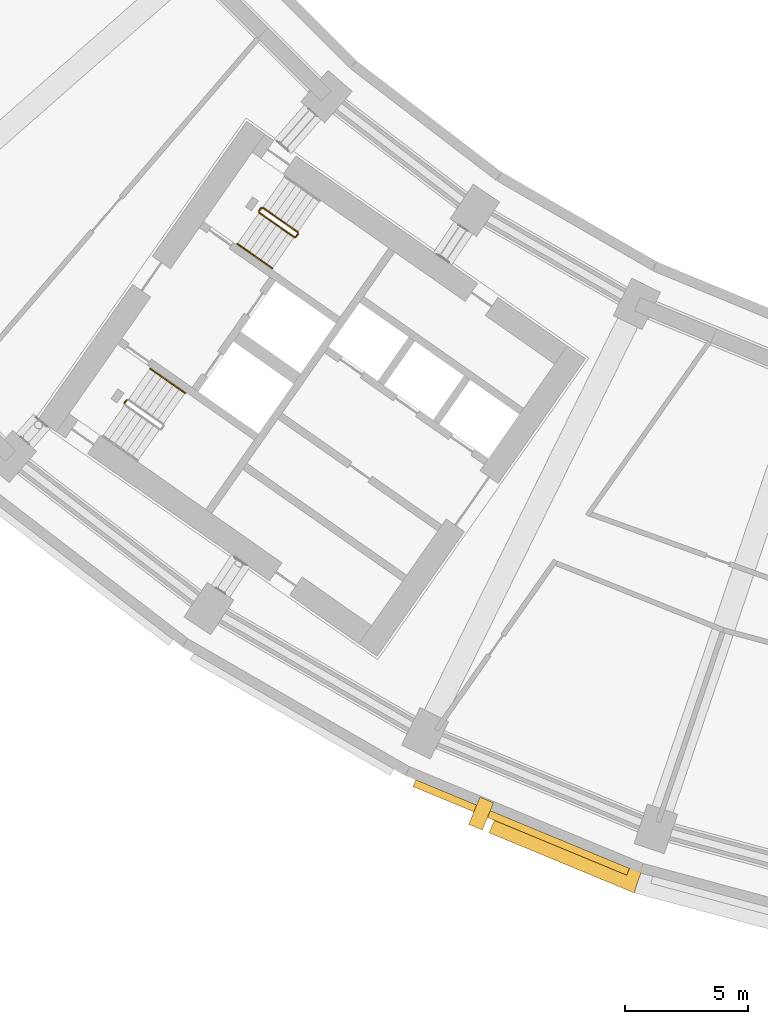
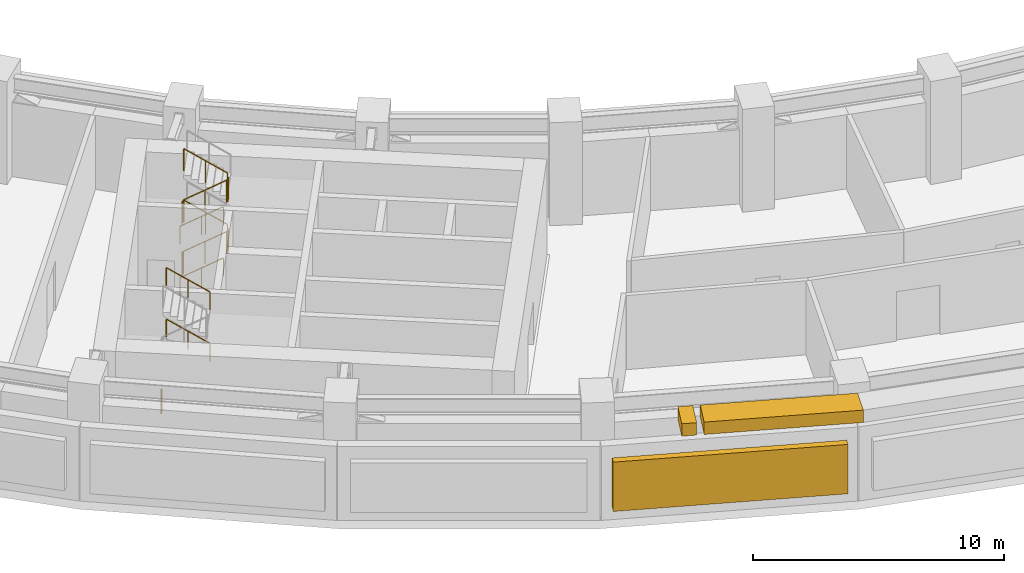
# One storey, part 22 of 25: 10 railings, 3 shading devices.
"""IFC4 building model written with IfcOpenShell, lengths in metres."""

from ifc_helpers import new_model, si_unit, direction, frame, origin, origin_2d, place, context, subcontext, project, spatial, polyline, rectangle, circle, outline, extrude, material, type_object, element, save


model = new_model("IFC4")

# Units and contexts
model_context = context("Model", 3, precision=1e-05, world=origin(), true_north=direction((0.0, 1.0)))
body_context = subcontext(model_context, "Body", "Model", "MODEL_VIEW")
ifc_project = project(units=[si_unit("LENGTHUNIT", "METRE"), si_unit("AREAUNIT", "SQUARE_METRE"), si_unit("VOLUMEUNIT", "CUBIC_METRE"), si_unit("PLANEANGLEUNIT", "RADIAN"), si_unit("MASSUNIT", "GRAM", prefix="KILO")], contexts=[model_context])

# Site, building, storey
site_placement = place(None, origin())
site = spatial("IfcSite", under=ifc_project, at=site_placement, CompositionType="ELEMENT")
building_placement = place(site_placement, origin())
building = spatial("IfcBuilding", under=site, at=building_placement, Name="Qamariyya Broadcast Tower", CompositionType="ELEMENT")
storey_placement = place(building_placement, frame((0.0, 0.0, 89.89990234375)))
storey = spatial("IfcBuildingStorey", under=building, at=storey_placement, Name="L19", CompositionType="ELEMENT", Elevation=89.89990234375)

# Shading devices
ifc_material_1 = material(Name="Steel S355 powder coated deep red", Category="steel")
shading_device_type_1 = type_object("IfcShadingDeviceType", Name="Deep red frame, powder coated steel box section", PredefinedType="USERDEFINED", material=ifc_material_1)
shading_device_1_placement = place(storey_placement, frame((0.0, 0.0, 4.400146484375)))
element("IfcShadingDevice", 1, at=shading_device_1_placement, inside=storey, type_object=shading_device_type_1, Name="e-frm-B2-F1-posta-L19", ObjectType="FRAME", PredefinedType="USERDEFINED", context=body_context, shape_type="SweptSolid", body=[
    extrude(outline(polyline([(-32.15625, -72.330322265625), (-32.615478515625, -73.43896484375), (-32.06103515625, -73.668701171875), (-31.601806640625, -72.56005859375), (-32.15625, -72.330322265625)])), origin(), (0.0, 0.0, 1.0), 0.599853515625),
])
shading_device_2_placement = place(storey_placement, frame((0.0, 0.0, 4.400146484375)))
element("IfcShadingDevice", 2, at=shading_device_2_placement, inside=storey, type_object=shading_device_type_1, Name="e-frm-B2-F1-bot0", ObjectType="FRAME", PredefinedType="USERDEFINED", context=body_context, shape_type="SweptSolid", body=[
    extrude(outline(polyline([(-31.32470703125, -72.6748046875), (-31.783935546875, -73.783447265625), (-25.876708984375, -76.230224609375), (-25.490234375, -75.091552734375), (-31.32470703125, -72.6748046875)])), origin(), (0.0, 0.0, 1.0), 0.599853515625),
])

# Railings
ifc_material_2 = material(Name="Painted steel", Category="steel")
railing_type_1 = type_object("IfcRailingType", Name="Stair guard", PredefinedType="GUARDRAIL", material=ifc_material_2)
railing_1_placement = place(storey_placement, frame((-41.146728515625, -48.52490234375, 0.1787109375)))
element("IfcRailing", 3, at=railing_1_placement, inside=storey, type_object=railing_type_1, Name="L19 ST-W2 stair guard 1", PredefinedType="GUARDRAIL", context=body_context, shape_type="SweptSolid", body=[
    extrude(circle(Radius=0.02392578125, at=origin_2d()), frame((0.0, 0.0, 1.076171875), z_axis=(0.697532699334, -0.488440163562, 0.524284598266), x_axis=(0.573594173421, 0.819139624372, 0.0)), (0.0, 0.0, 1.0), 2.04345703125),
    extrude(circle(Radius=0.02392578125, at=origin_2d()), frame((1.42529296875, -0.998046875, 2.1474609375), z_axis=(0.984470095537, 0.175552359694, 0.0), x_axis=(-0.175552359694, 0.984470095537, 0.0)), (0.0, 0.0, 1.0), 0.071044921875),
    extrude(circle(Radius=0.02392578125, at=origin_2d()), frame((1.4951171875, -0.985595703125, 2.1474609375), z_axis=(0.573353020881, 0.819308436089, 0.0), x_axis=(-0.819308436089, 0.573353020881, 0.0)), (0.0, 0.0, 1.0), 0.14990234375),
    extrude(circle(Radius=0.02099609375, at=origin_2d()), origin(), (0.0, 0.0, 1.0), 1.052001953125),
    extrude(circle(Radius=0.02099609375, at=origin_2d()), frame((0.712646484375, -0.4990234375, 0.53564453125)), (0.0, 0.0, 1.0), 1.052001953125),
    extrude(circle(Radius=0.02099609375, at=origin_2d()), frame((1.42529296875, -0.998046875, 1.0712890625)), (0.0, 0.0, 1.0), 1.052001953125),
    extrude(circle(Radius=0.02099609375, at=origin_2d()), frame((1.4951171875, -0.985595703125, 1.0712890625)), (0.0, 0.0, 1.0), 1.052001953125),
    extrude(circle(Radius=0.02099609375, at=origin_2d()), frame((1.5810546875, -0.86279296875, 1.0712890625)), (0.0, 0.0, 1.0), 1.052001953125),
])
railing_2_placement = place(storey_placement, frame((-39.577880859375, -49.318115234375, 1.4287109375)))
element("IfcRailing", 4, at=railing_2_placement, inside=storey, type_object=railing_type_1, Name="L19 ST-W2 stair guard 2", PredefinedType="GUARDRAIL", context=body_context, shape_type="SweptSolid", body=[
    extrude(circle(Radius=0.02392578125, at=origin_2d()), frame((0.0, 0.0, 1.076171875), z_axis=(-0.697532699334, 0.488440163562, 0.524284598266), x_axis=(-0.573594173421, -0.819139624372, 0.0)), (0.0, 0.0, 1.0), 2.04345703125),
    extrude(circle(Radius=0.02392578125, at=origin_2d()), frame((-1.42529296875, 0.998046875, 2.1474609375), z_axis=(-0.755063954535, -0.655651145474, 0.0), x_axis=(0.655651145474, -0.755063954535, 0.0)), (0.0, 0.0, 1.0), 0.206298828125),
    extrude(circle(Radius=0.02392578125, at=origin_2d()), frame((-1.5810546875, 0.86279296875, 2.1474609375), z_axis=(0.572588637393, 0.819842821722, 0.0), x_axis=(-0.819842821722, 0.572588637393, 0.0)), (0.0, 0.0, 1.0), 0.150146484375),
    extrude(circle(Radius=0.02099609375, at=origin_2d()), origin(), (0.0, 0.0, 1.0), 1.052001953125),
    extrude(circle(Radius=0.02099609375, at=origin_2d()), frame((-0.712646484375, 0.4990234375, 0.53564453125)), (0.0, 0.0, 1.0), 1.052001953125),
    extrude(circle(Radius=0.02099609375, at=origin_2d()), frame((-1.42529296875, 0.998046875, 1.0712890625)), (0.0, 0.0, 1.0), 1.052001953125),
    extrude(circle(Radius=0.02099609375, at=origin_2d()), frame((-1.5810546875, 0.86279296875, 1.0712890625)), (0.0, 0.0, 1.0), 1.052001953125),
    extrude(circle(Radius=0.02099609375, at=origin_2d()), frame((-1.4951171875, 0.98583984375, 1.0712890625)), (0.0, 0.0, 1.0), 1.052001953125),
])
railing_3_placement = place(storey_placement, frame((-41.146728515625, -48.52490234375, 2.6787109375)))
element("IfcRailing", 5, at=railing_3_placement, inside=storey, type_object=railing_type_1, Name="L19 ST-W2 stair guard 3", PredefinedType="GUARDRAIL", context=body_context, shape_type="SweptSolid", body=[
    extrude(circle(Radius=0.02392578125, at=origin_2d()), frame((0.0, 0.0, 1.076171875), z_axis=(0.697532699334, -0.488440163562, 0.524284598266), x_axis=(0.573594173421, 0.819139624372, 0.0)), (0.0, 0.0, 1.0), 2.04345703125),
    extrude(circle(Radius=0.02392578125, at=origin_2d()), frame((1.42529296875, -0.998046875, 2.1474609375), z_axis=(0.984470095537, 0.175552359694, 0.0), x_axis=(-0.175552359694, 0.984470095537, 0.0)), (0.0, 0.0, 1.0), 0.071044921875),
    extrude(circle(Radius=0.02392578125, at=origin_2d()), frame((1.4951171875, -0.985595703125, 2.1474609375), z_axis=(0.573353020881, 0.819308436089, 0.0), x_axis=(-0.819308436089, 0.573353020881, 0.0)), (0.0, 0.0, 1.0), 0.14990234375),
    extrude(circle(Radius=0.02099609375, at=origin_2d()), origin(), (0.0, 0.0, 1.0), 1.052001953125),
    extrude(circle(Radius=0.02099609375, at=origin_2d()), frame((0.712646484375, -0.4990234375, 0.53564453125)), (0.0, 0.0, 1.0), 1.052001953125),
    extrude(circle(Radius=0.02099609375, at=origin_2d()), frame((1.42529296875, -0.998046875, 1.0712890625)), (0.0, 0.0, 1.0), 1.052001953125),
    extrude(circle(Radius=0.02099609375, at=origin_2d()), frame((1.4951171875, -0.985595703125, 1.0712890625)), (0.0, 0.0, 1.0), 1.052001953125),
    extrude(circle(Radius=0.02099609375, at=origin_2d()), frame((1.5810546875, -0.86279296875, 1.0712890625)), (0.0, 0.0, 1.0), 1.052001953125),
])
railing_4_placement = place(storey_placement, frame((-39.577880859375, -49.318115234375, 3.9287109375)))
element("IfcRailing", 6, at=railing_4_placement, inside=storey, type_object=railing_type_1, Name="L19 ST-W2 stair guard 4", PredefinedType="GUARDRAIL", context=body_context, shape_type="SweptSolid", body=[
    extrude(circle(Radius=0.02392578125, at=origin_2d()), frame((0.0, 0.0, 1.076171875), z_axis=(-0.697532699334, 0.488440163562, 0.524284598266), x_axis=(-0.573594173421, -0.819139624372, 0.0)), (0.0, 0.0, 1.0), 2.04345703125),
    extrude(circle(Radius=0.02099609375, at=origin_2d()), origin(), (0.0, 0.0, 1.0), 1.052001953125),
    extrude(circle(Radius=0.02099609375, at=origin_2d()), frame((-0.712646484375, 0.4990234375, 0.53564453125)), (0.0, 0.0, 1.0), 1.052001953125),
    extrude(circle(Radius=0.02099609375, at=origin_2d()), frame((-1.42529296875, 0.998046875, 1.0712890625)), (0.0, 0.0, 1.0), 1.052001953125),
])
railing_5_placement = place(storey_placement, frame((-41.158935546875, -48.455322265625, 0.0)))
element("IfcRailing", 7, at=railing_5_placement, inside=storey, type_object=railing_type_1, Name="L19 ST-W2 stair guard 5", PredefinedType="GUARDRAIL", context=body_context, shape_type="SweptSolid", body=[
    extrude(circle(Radius=0.02392578125, at=origin_2d()), frame((0.0, 0.0, 1.076171875), z_axis=(0.572588637393, 0.819842821722, 0.0), x_axis=(-0.819842821722, 0.572588637393, 0.0)), (0.0, 0.0, 1.0), 0.150146484375),
    extrude(circle(Radius=0.02099609375, at=origin_2d()), origin(), (0.0, 0.0, 1.0), 1.052001953125),
    extrude(circle(Radius=0.02099609375, at=origin_2d()), frame((0.0859375, 0.123046875, 0.0)), (0.0, 0.0, 1.0), 1.052001953125),
])
railing_6_placement = place(storey_placement, frame((-46.63671875, -56.278076171875, 0.0)))
element("IfcRailing", 8, at=railing_6_placement, inside=storey, type_object=railing_type_1, Name="L19 ST-W1 stair guard 5", PredefinedType="GUARDRAIL", context=body_context, shape_type="SweptSolid", body=[
    extrude(circle(Radius=0.02392578125, at=origin_2d()), frame((0.0, 0.0, 1.076171875), z_axis=(0.574444878118, 0.818543268254, 0.0), x_axis=(-0.818543268254, 0.574444878118, 0.0)), (0.0, 0.0, 1.0), 0.150146484375),
    extrude(circle(Radius=0.02099609375, at=origin_2d()), origin(), (0.0, 0.0, 1.0), 1.052001953125),
    extrude(circle(Radius=0.02099609375, at=origin_2d()), frame((0.086181640625, 0.122802734375, 0.0)), (0.0, 0.0, 1.0), 1.052001953125),
])
ifc_material_3 = material(Name="Stainless steel", Category="steel")
railing_type_2 = type_object("IfcRailingType", Name="Stair handrail", PredefinedType="HANDRAIL", material=ifc_material_3)
for number, where, name in (
    (9, (-42.03564453125, -49.79443359375, 0.1787109375), "L19 ST-W2 stair handrail 1"),
    (10, (-42.03564453125, -49.79443359375, 2.6787109375), "L19 ST-W2 stair handrail 3"),
):
    element("IfcRailing", number, at=place(storey_placement, frame(where)), inside=storey, type_object=railing_type_2, Name=name, PredefinedType="HANDRAIL", context=body_context, shape_type="SweptSolid", body=[
        extrude(circle(Radius=0.02392578125, at=origin_2d()), frame((0.0, 0.0, 0.8759765625), z_axis=(0.697532699334, -0.488440163562, 0.524284598266), x_axis=(0.573594173421, 0.819139624372, 0.0)), (0.0, 0.0, 1.0), 2.04345703125),
        extrude(circle(Radius=0.02099609375, at=origin_2d()), origin(), (0.0, 0.0, 1.0), 0.851806640625),
        extrude(circle(Radius=0.02099609375, at=origin_2d()), frame((0.712646484375, -0.4990234375, 0.53564453125)), (0.0, 0.0, 1.0), 0.851806640625),
        extrude(circle(Radius=0.02099609375, at=origin_2d()), frame((1.42529296875, -0.998046875, 1.0712890625)), (0.0, 0.0, 1.0), 0.851806640625),
    ])
for number, where, name in (
    (11, (-44.16650390625, -55.871337890625, 1.4287109375), "L19 ST-W1 stair handrail 2"),
    (12, (-44.16650390625, -55.871337890625, 3.9287109375), "L19 ST-W1 stair handrail 4"),
):
    element("IfcRailing", number, at=place(storey_placement, frame(where)), inside=storey, type_object=railing_type_2, Name=name, PredefinedType="HANDRAIL", context=body_context, shape_type="SweptSolid", body=[
        extrude(circle(Radius=0.02392578125, at=origin_2d()), frame((0.0, 0.0, 0.8759765625), z_axis=(-0.697532699334, 0.488440163562, 0.524284598266), x_axis=(-0.573594173421, -0.819139624372, 0.0)), (0.0, 0.0, 1.0), 2.04345703125),
        extrude(circle(Radius=0.02099609375, at=origin_2d()), origin(), (0.0, 0.0, 1.0), 0.851806640625),
        extrude(circle(Radius=0.02099609375, at=origin_2d()), frame((-0.712646484375, 0.4990234375, 0.53564453125)), (0.0, 0.0, 1.0), 0.851806640625),
        extrude(circle(Radius=0.02099609375, at=origin_2d()), frame((-1.42529296875, 0.998046875, 1.0712890625)), (0.0, 0.0, 1.0), 0.851806640625),
    ])

# Shading device
ifc_material_4 = material(Name="Glazed terracotta", Category="masonry")
shading_device_type_2 = type_object("IfcShadingDeviceType", Name="Terracotta louvre bank", PredefinedType="USERDEFINED", material=ifc_material_4)
shading_device_3_placement = place(storey_placement, frame((-30.472900390625, -73.568115234375, 0.60009765625), z_axis=(0.0, 0.0, 1.0), x_axis=(0.923879532511, -0.382683432365, 0.0)))
element("IfcShadingDevice", 13, at=shading_device_3_placement, inside=storey, type_object=shading_device_type_2, Name="e-lv-L19-05", ObjectType="LOUVRE", PredefinedType="USERDEFINED", context=body_context, shape_type="SweptSolid", body=[
    extrude(rectangle(XDim=9.418701171875, YDim=0.300048828125, at=origin_2d()), origin(), (0.0, 0.0, 1.0), 2.39990234375),
])

save(model, "model.ifc")
